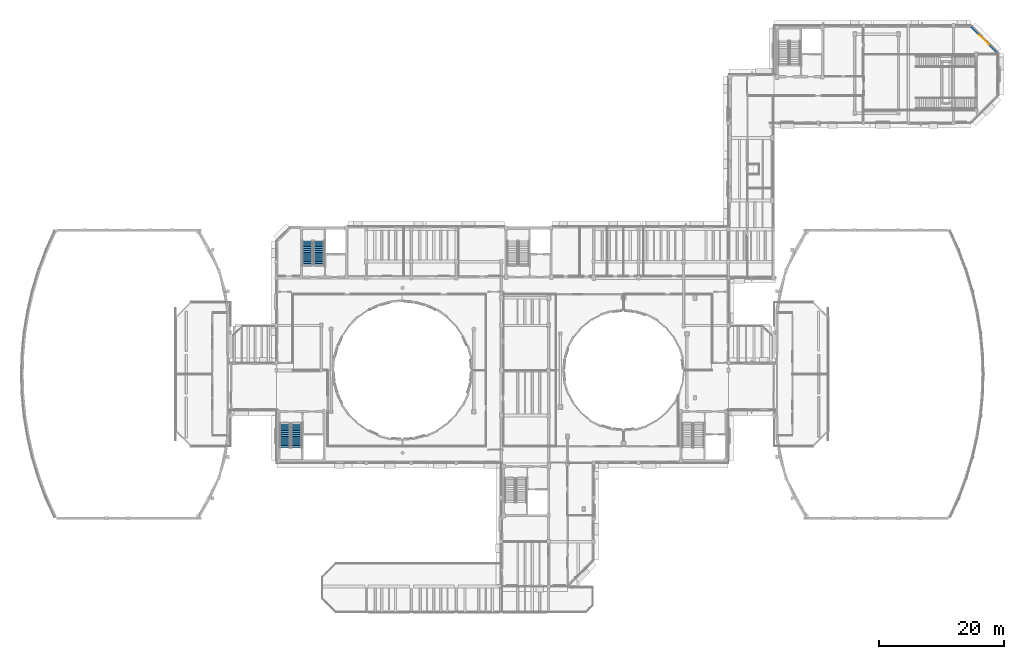
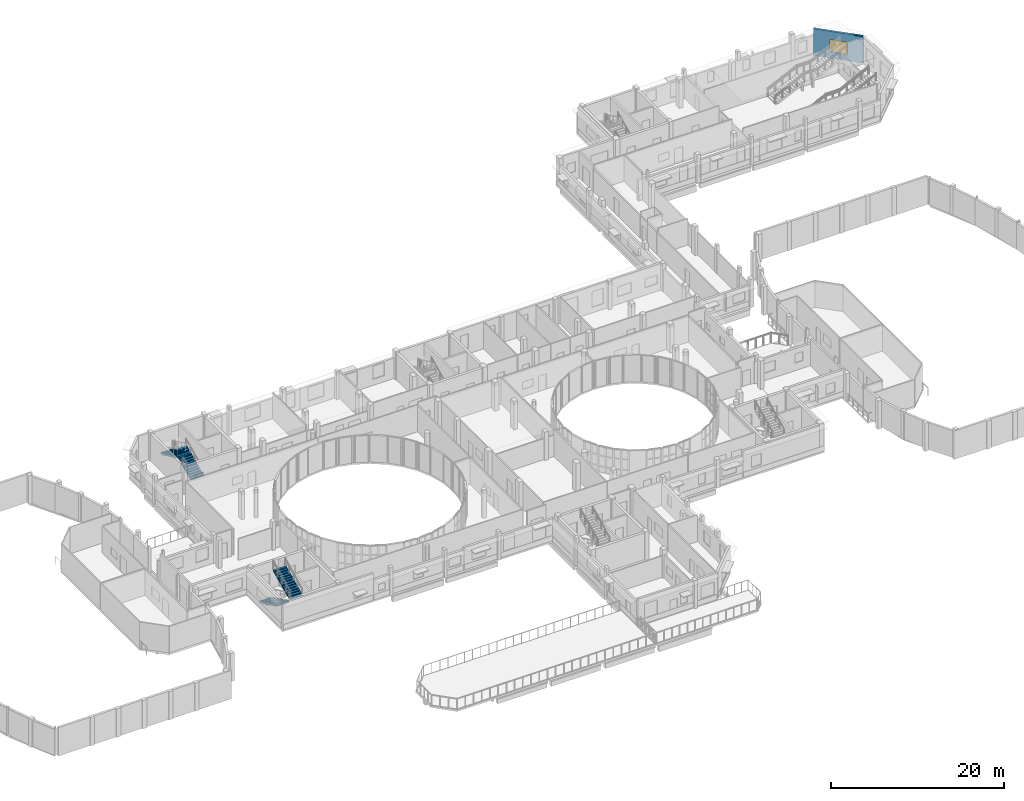
# One storey, part 76 of 92: 4 stair flights, 1 wall, 1 window, 1 opening, 2 elements without a shape of their own.
"""IFC4 building model written with IfcOpenShell, lengths in metres."""

from ifc_helpers import new_model, si_unit, direction, frame, frame_2d, origin, place, context, subcontext, project, spatial, polyline, rectangle, outline, extrude, material, layer, layer_set, type_object, element, fill, aggregate, save


model = new_model("IFC4")

# Units and contexts
model_context = context("Model", 3, precision=1e-05, world=origin(), true_north=direction((0.0, 1.0)))
body_context = subcontext(model_context, "Body", "Model", "MODEL_VIEW")
ifc_project = project(units=[si_unit("LENGTHUNIT", "METRE"), si_unit("AREAUNIT", "SQUARE_METRE"), si_unit("VOLUMEUNIT", "CUBIC_METRE"), si_unit("PLANEANGLEUNIT", "RADIAN"), si_unit("MASSUNIT", "GRAM", prefix="KILO")], contexts=[model_context])

# Site, building, storey
site_placement = place(None, origin())
site = spatial("IfcSite", under=ifc_project, at=site_placement, CompositionType="ELEMENT")
building_placement = place(site_placement, origin())
building = spatial("IfcBuilding", under=site, at=building_placement, Name="Kelanivale Promenade Academy", CompositionType="ELEMENT")
storey_placement = place(building_placement, frame((0.0, 0.0, 8.199951171875)))
storey = spatial("IfcBuildingStorey", under=building, at=storey_placement, Name="L02", CompositionType="ELEMENT", Elevation=8.199951171875)

# Wall, opening, window
ifc_material_1 = material(Name="Insulated ivory stucco masonry wall 280 mm", Category="masonry")
ifc_layer = layer(ifc_material_1, 0.280029296875)
ifc_layer_set = layer_set([ifc_layer], Name="Insulated ivory stucco masonry wall 280 mm")
wall_type = type_object("IfcWallType", Name="EW-02 Wall 280mm", PredefinedType="SOLIDWALL", material=ifc_layer_set)
wall_placement = place(storey_placement, frame((158.615966796875, 107.618896484375, 0.0), z_axis=(0.0, 0.0, 1.0), x_axis=(-0.707106781187, 0.707106781187, 0.0)))
wall = element("IfcWall", 1, at=wall_placement, inside=storey, type_object=wall_type, Name="L02 exterior facade wall EW-L02-ORT-0426", PredefinedType="SOLIDWALL", context=body_context, shape_type="SweptSolid", body=[
    extrude(rectangle(XDim=5.935546875, YDim=0.280029296875, at=frame_2d((2.9677734375, 0.0))), origin(), (0.0, 0.0, 1.0), 3.780029296875),
])
opening_placement = place(wall_placement, frame((1.91796875, 0.0, 0.85009765625)))
opening = element("IfcOpeningElement", 2, at=opening_placement, cuts=wall, Name="Opening WT-02", PredefinedType="OPENING", context=body_context, shape_type="SweptSolid", body=[
    extrude(rectangle(XDim=2.10009765625, YDim=1.800048828125, at=frame_2d((1.050048828125, 0.89990234375))), frame((0.0, 0.14990234375, 0.0), z_axis=(0.0, -1.0, 0.0), x_axis=(1.0, 0.0, 0.0)), (0.0, 0.0, 1.0), 0.300048828125),
])
ifc_material_2 = material(Name="Bronze anodised aluminium frame with low-E laminated glass", Category="aluminium")
window_type = type_object("IfcWindowType", Name="WT-02 Window 2100x1800", PartitioningType="SINGLE_PANEL", PredefinedType="WINDOW", material=ifc_material_2)
window_placement = place(opening_placement, origin())
window = element("IfcWindow", 3, at=window_placement, inside=storey, type_object=window_type, Name="Window WT-02", OverallHeight=1.800048828125, OverallWidth=2.10009765625, PartitioningType="SINGLE_PANEL", PredefinedType="WINDOW", context=body_context, shape_type="SweptSolid", body=[
    extrude(rectangle(XDim=2.10009765625, YDim=1.800048828125, at=frame_2d((1.050048828125, 0.89990234375))), frame((0.0, 0.030029296875, 0.0), z_axis=(0.0, -1.0, 0.0), x_axis=(1.0, 0.0, 0.0)), (0.0, 0.0, 1.0), 0.06005859375),
])
fill(opening, window)

# Stair, stair flight
ifc_material_3 = material(Name="Concrete C35/45", Category="concrete")
stair_type = type_object("IfcStairType", Name="ST-T02 Protected dog-leg upper-storey stair", PredefinedType="HALF_TURN_STAIR", material=ifc_material_3)
stair_1_placement = place(storey_placement, origin())
stair_1 = element("IfcStair", 4, at=stair_1_placement, inside=storey, type_object=stair_type, Name="L02 ST-04", PredefinedType="HALF_TURN_STAIR")
stair_flight_type_1 = type_object("IfcStairFlightType", Name="SF-T03 Core stair RC flight 14 risers x 142", PredefinedType="STRAIGHT", material=ifc_material_3)
stair_flight_1_placement = place(storey_placement, frame((50.02001953125, 73.60498046875, 0.0), z_axis=(0.0, 0.0, 1.0), x_axis=(0.0, 1.0, 0.0)))
stair_flight_1 = element("IfcStairFlight", 5, at=stair_flight_1_placement, type_object=stair_flight_type_1, Name="ST-04 flight 1", NumberOfRisers=14, NumberOfTreads=13, PredefinedType="STRAIGHT", RiserHeight=0.142857143, TreadLength=0.3, context=body_context, shape_type="SweptSolid", body=[
    extrude(outline(polyline([(0.0, 0.0), (0.0, 0.142822265625), (0.300048828125, 0.142822265625), (0.300048828125, 0.28564453125), (0.60009765625, 0.28564453125), (0.60009765625, 0.428466796875), (0.89990234375, 0.428466796875), (0.89990234375, 0.571533203125), (1.199951171875, 0.571533203125), (1.199951171875, 0.71435546875), (1.5, 0.71435546875), (1.5, 0.857177734375), (1.800048828125, 0.857177734375), (1.800048828125, 1.0), (2.10009765625, 1.0), (2.10009765625, 1.142822265625), (2.39990234375, 1.142822265625), (2.39990234375, 1.28564453125), (2.699951171875, 1.28564453125), (2.699951171875, 1.428466796875), (3.0, 1.428466796875), (3.0, 1.571533203125), (3.300048828125, 1.571533203125), (3.300048828125, 1.71435546875), (3.60009765625, 1.71435546875), (3.60009765625, 1.857177734375), (3.89990234375, 1.857177734375), (3.89990234375, 2.0), (3.89990234375, 1.657958984375), (0.41845703125, 0.0), (0.0, 0.0)])), frame((0.0, 0.844970703125, 0.0), z_axis=(0.0, -1.0, 0.0), x_axis=(1.0, 0.0, 0.0)), (0.0, 0.0, 1.0), 1.68994140625),
])

stair_2_placement = place(storey_placement, origin())
stair_2 = element("IfcStair", 6, at=stair_2_placement, inside=storey, type_object=stair_type, Name="L02 ST-06", PredefinedType="HALF_TURN_STAIR")
stair_flight_2_placement = place(storey_placement, frame((44.610107421875, 48.344970703125, 0.0), z_axis=(0.0, 0.0, 1.0), x_axis=(0.0, -1.0, 0.0)))
stair_flight_2 = element("IfcStairFlight", 7, at=stair_flight_2_placement, type_object=stair_flight_type_1, Name="ST-06 flight 1", NumberOfRisers=14, NumberOfTreads=13, PredefinedType="STRAIGHT", RiserHeight=0.142857143, TreadLength=0.3, context=body_context, shape_type="SweptSolid", body=[
    extrude(outline(polyline([(0.0, 0.0), (0.0, 0.142822265625), (0.300048828125, 0.142822265625), (0.300048828125, 0.28564453125), (0.60009765625, 0.28564453125), (0.60009765625, 0.428466796875), (0.89990234375, 0.428466796875), (0.89990234375, 0.571533203125), (1.199951171875, 0.571533203125), (1.199951171875, 0.71435546875), (1.5, 0.71435546875), (1.5, 0.857177734375), (1.800048828125, 0.857177734375), (1.800048828125, 1.0), (2.10009765625, 1.0), (2.10009765625, 1.142822265625), (2.39990234375, 1.142822265625), (2.39990234375, 1.28564453125), (2.699951171875, 1.28564453125), (2.699951171875, 1.428466796875), (3.0, 1.428466796875), (3.0, 1.571533203125), (3.300048828125, 1.571533203125), (3.300048828125, 1.71435546875), (3.60009765625, 1.71435546875), (3.60009765625, 1.857177734375), (3.89990234375, 1.857177734375), (3.89990234375, 2.0), (3.89990234375, 1.657958984375), (0.41845703125, 0.0), (0.0, 0.0)])), frame((0.0, 0.844970703125, 0.0), z_axis=(0.0, -1.0, 0.0), x_axis=(1.0, 0.0, 0.0)), (0.0, 0.0, 1.0), 1.68994140625),
])

# Stair flight
stair_flight_type_2 = type_object("IfcStairFlightType", Name="SF-T04 Core stair RC return flight 14 riser", PredefinedType="STRAIGHT", material=ifc_material_3)
stair_flight_3_placement = place(storey_placement, frame((48.2099609375, 77.5048828125, 2.0), z_axis=(0.0, 0.0, 1.0), x_axis=(0.0, -1.0, 0.0)))
stair_flight_3 = element("IfcStairFlight", 8, at=stair_flight_3_placement, type_object=stair_flight_type_2, Name="ST-04 flight 2", NumberOfRisers=14, NumberOfTreads=13, PredefinedType="STRAIGHT", RiserHeight=0.142857143, TreadLength=0.3, context=body_context, shape_type="SweptSolid", body=[
    extrude(outline(polyline([(0.0, 0.0), (0.0, 0.142822265625), (0.300048828125, 0.142822265625), (0.300048828125, 0.28564453125), (0.60009765625, 0.28564453125), (0.60009765625, 0.428466796875), (0.89990234375, 0.428466796875), (0.89990234375, 0.571533203125), (1.199951171875, 0.571533203125), (1.199951171875, 0.71435546875), (1.5, 0.71435546875), (1.5, 0.857177734375), (1.800048828125, 0.857177734375), (1.800048828125, 1.0), (2.10009765625, 1.0), (2.10009765625, 1.142822265625), (2.39990234375, 1.142822265625), (2.39990234375, 1.28564453125), (2.699951171875, 1.28564453125), (2.699951171875, 1.428466796875), (3.0, 1.428466796875), (3.0, 1.571533203125), (3.300048828125, 1.571533203125), (3.300048828125, 1.71435546875), (3.60009765625, 1.71435546875), (3.60009765625, 1.857177734375), (3.89990234375, 1.857177734375), (3.89990234375, 2.0), (3.89990234375, 1.657958984375), (0.41845703125, 0.0), (0.0, 0.0)])), frame((0.0, 0.844970703125, 0.0), z_axis=(0.0, -1.0, 0.0), x_axis=(1.0, 0.0, 0.0)), (0.0, 0.0, 1.0), 1.68994140625),
])

aggregate(stair_1, [stair_flight_1, stair_flight_3])

stair_flight_4_placement = place(storey_placement, frame((46.419921875, 44.445068359375, 2.0), z_axis=(0.0, 0.0, 1.0), x_axis=(0.0, 1.0, 0.0)))
stair_flight_4 = element("IfcStairFlight", 9, at=stair_flight_4_placement, type_object=stair_flight_type_2, Name="ST-06 flight 2", NumberOfRisers=14, NumberOfTreads=13, PredefinedType="STRAIGHT", RiserHeight=0.142857143, TreadLength=0.3, context=body_context, shape_type="SweptSolid", body=[
    extrude(outline(polyline([(0.0, 0.0), (0.0, 0.142822265625), (0.300048828125, 0.142822265625), (0.300048828125, 0.28564453125), (0.60009765625, 0.28564453125), (0.60009765625, 0.428466796875), (0.89990234375, 0.428466796875), (0.89990234375, 0.571533203125), (1.199951171875, 0.571533203125), (1.199951171875, 0.71435546875), (1.5, 0.71435546875), (1.5, 0.857177734375), (1.800048828125, 0.857177734375), (1.800048828125, 1.0), (2.10009765625, 1.0), (2.10009765625, 1.142822265625), (2.39990234375, 1.142822265625), (2.39990234375, 1.28564453125), (2.699951171875, 1.28564453125), (2.699951171875, 1.428466796875), (3.0, 1.428466796875), (3.0, 1.571533203125), (3.300048828125, 1.571533203125), (3.300048828125, 1.71435546875), (3.60009765625, 1.71435546875), (3.60009765625, 1.857177734375), (3.89990234375, 1.857177734375), (3.89990234375, 2.0), (3.89990234375, 1.657958984375), (0.41845703125, 0.0), (0.0, 0.0)])), frame((0.0, 0.844970703125, 0.0), z_axis=(0.0, -1.0, 0.0), x_axis=(1.0, 0.0, 0.0)), (0.0, 0.0, 1.0), 1.68994140625),
])

aggregate(stair_2, [stair_flight_2, stair_flight_4])

save(model, "model.ifc")
